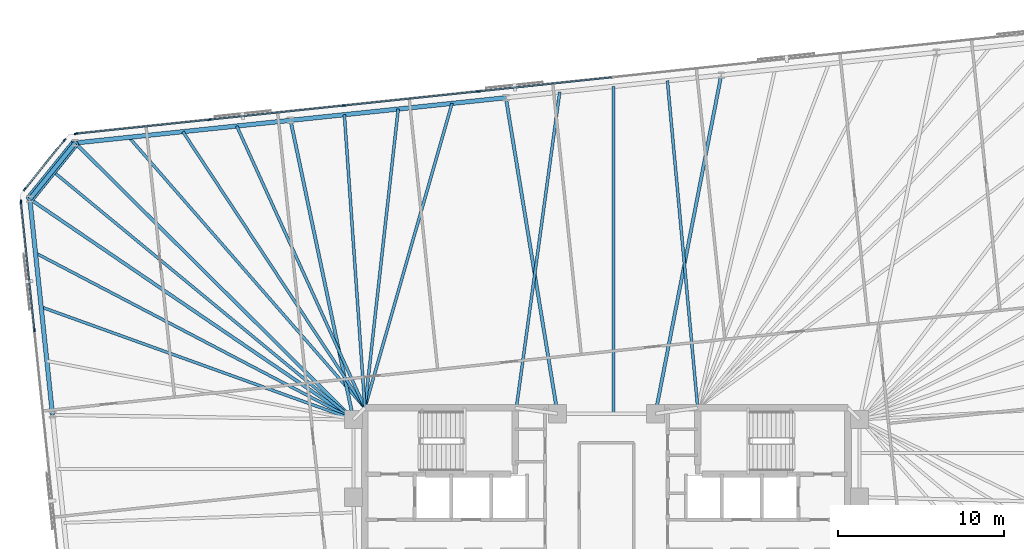
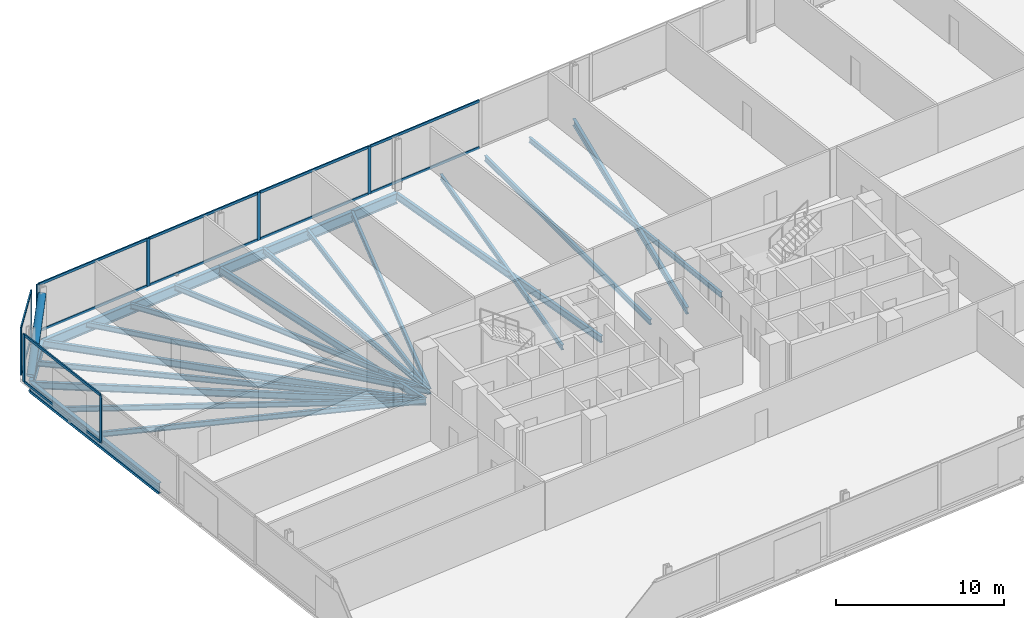
# One storey, part 9 of 18: 21 beams, 21 members, 3 elements without a shape of their own.
"""IFC4 building model written with IfcOpenShell, lengths in metres."""

from ifc_helpers import new_model, si_unit, direction, frame, origin, origin_2d, place, context, subcontext, project, spatial, rectangle, hollow_circle, i_section, extrude, material, material_profile, profile_set, type_object, element, aggregate, save


model = new_model("IFC4")

# Units and contexts
model_context = context("Model", 3, precision=1e-05, world=origin(), true_north=direction((0.0, 1.0)))
body_context = subcontext(model_context, "Body", "Model", "MODEL_VIEW")
ifc_project = project(units=[si_unit("LENGTHUNIT", "METRE"), si_unit("AREAUNIT", "SQUARE_METRE"), si_unit("VOLUMEUNIT", "CUBIC_METRE"), si_unit("PLANEANGLEUNIT", "RADIAN"), si_unit("MASSUNIT", "GRAM", prefix="KILO")], contexts=[model_context])

# Site, building, storey
site_placement = place(None, origin())
site = spatial("IfcSite", under=ifc_project, at=site_placement, CompositionType="ELEMENT")
building_placement = place(site_placement, origin())
building = spatial("IfcBuilding", under=site, at=building_placement, Name="Menara Jurai Vektor", CompositionType="ELEMENT")
storey_placement = place(building_placement, frame((0.0, 0.0, 128.10009765625)))
storey = spatial("IfcBuildingStorey", under=building, at=storey_placement, Name="L32", CompositionType="ELEMENT", Elevation=128.10009765625)

# Curtain wall, members
ifc_material_1 = material(Name="Anodised Pale Aluminium & Low-E Double Glazing", Category="aluminium")
curtain_wall_type = type_object("IfcCurtainWallType", Name="CW-BLK2", PredefinedType="NOTDEFINED", material=ifc_material_1)
curtain_wall_1_placement = place(storey_placement, origin())
curtain_wall_1 = element("IfcCurtainWall", 1, at=curtain_wall_1_placement, inside=storey, type_object=curtain_wall_type, Name="Unitised Curtain Wall L32 F05", PredefinedType="NOTDEFINED")
ifc_material_2 = material(Name="Anodised Pale Aluminium Mullion", Category="aluminium")
ifc_material_profile_1 = material_profile(ifc_material_2, rectangle(XDim=0.090087890625, YDim=0.219970703125, at=origin_2d()), Name="ALU MUL 90x220")
ifc_profile_set_1 = profile_set([ifc_material_profile_1], Name="Anodised Pale Aluminium Mullion")
member_type_1 = type_object("IfcMemberType", Name="CW-BLK2-MUL", PredefinedType="MULLION", material=ifc_profile_set_1)
member_1_placement = place(storey_placement, frame((-7.728271484375, 24.67138671875, 0.0), z_axis=(0.0, 0.0, 1.0), x_axis=(0.104528634935, -0.994521877325, 0.0)))
member_1 = element("IfcMember", 2, at=member_1_placement, type_object=member_type_1, Name="CW-02 mullion 6", PredefinedType="MULLION", context=body_context, shape_type="SweptSolid", body=[
    extrude(rectangle(XDim=0.090087890625, YDim=0.219970703125, at=origin_2d()), origin(), (0.0, 0.0, 1.0), 3.474853515625),
])
member_2_placement = place(storey_placement, frame((-15.826171875, 23.8203125, 0.0), z_axis=(0.0, 0.0, 1.0), x_axis=(0.104528634935, -0.994521877325, 0.0)))
member_2 = element("IfcMember", 3, at=member_2_placement, type_object=member_type_1, Name="CW-02 mullion 7", PredefinedType="MULLION", context=body_context, shape_type="SweptSolid", body=[
    extrude(rectangle(XDim=0.090087890625, YDim=0.219970703125, at=origin_2d()), origin(), (0.0, 0.0, 1.0), 3.474853515625),
])
member_3_placement = place(storey_placement, frame((-23.924072265625, 22.96923828125, 0.0), z_axis=(0.0, 0.0, 1.0), x_axis=(0.104528634935, -0.994521877325, 0.0)))
member_3 = element("IfcMember", 4, at=member_3_placement, type_object=member_type_1, Name="CW-02 mullion 8", PredefinedType="MULLION", context=body_context, shape_type="SweptSolid", body=[
    extrude(rectangle(XDim=0.090087890625, YDim=0.219970703125, at=origin_2d()), origin(), (0.0, 0.0, 1.0), 3.474853515625),
])
member_4_placement = place(storey_placement, frame((-31.97705078125, 22.122802734375, 0.0), z_axis=(0.0, 0.0, 1.0), x_axis=(0.104528634935, -0.994521877325, 0.0)))
member_4 = element("IfcMember", 5, at=member_4_placement, type_object=member_type_1, Name="CW-02 mullion 9", PredefinedType="MULLION", context=body_context, shape_type="SweptSolid", body=[
    extrude(rectangle(XDim=0.090087890625, YDim=0.219970703125, at=origin_2d()), origin(), (0.0, 0.0, 1.0), 3.474853515625),
])

curtain_wall_2_placement = place(storey_placement, origin())
curtain_wall_2 = element("IfcCurtainWall", 6, at=curtain_wall_2_placement, inside=storey, type_object=curtain_wall_type, Name="Unitised Curtain Wall L32 F06", PredefinedType="NOTDEFINED")
member_5_placement = place(storey_placement, frame((-32.667236328125, 21.748046875, 0.0), z_axis=(0.0, 0.0, 1.0), x_axis=(0.777129222223, -0.62934106172, 0.0)))
member_5 = element("IfcMember", 7, at=member_5_placement, type_object=member_type_1, Name="CW-02 mullion 1", PredefinedType="MULLION", context=body_context, shape_type="SweptSolid", body=[
    extrude(rectangle(XDim=0.090087890625, YDim=0.219970703125, at=origin_2d()), origin(), (0.0, 0.0, 1.0), 3.474853515625),
])
member_6_placement = place(storey_placement, frame((-35.0693359375, 18.781982421875, 0.0), z_axis=(0.0, 0.0, 1.0), x_axis=(0.777129222223, -0.62934106172, 0.0)))
member_6 = element("IfcMember", 8, at=member_6_placement, type_object=member_type_1, Name="CW-02 mullion 2", PredefinedType="MULLION", context=body_context, shape_type="SweptSolid", body=[
    extrude(rectangle(XDim=0.090087890625, YDim=0.219970703125, at=origin_2d()), origin(), (0.0, 0.0, 1.0), 3.474853515625),
])

curtain_wall_3_placement = place(storey_placement, origin())
curtain_wall_3 = element("IfcCurtainWall", 9, at=curtain_wall_3_placement, inside=storey, type_object=curtain_wall_type, Name="Unitised Curtain Wall L32 F07", PredefinedType="NOTDEFINED")
member_7_placement = place(storey_placement, frame((-35.29248046875, 18.029052734375, 0.0), z_axis=(0.0, 0.0, 1.0), x_axis=(0.99452177832, 0.104529576902, 0.0)))
member_7 = element("IfcMember", 10, at=member_7_placement, type_object=member_type_1, Name="CW-02 mullion 1", PredefinedType="MULLION", context=body_context, shape_type="SweptSolid", body=[
    extrude(rectangle(XDim=0.090087890625, YDim=0.219970703125, at=origin_2d()), origin(), (0.0, 0.0, 1.0), 3.474853515625),
])
member_8_placement = place(storey_placement, frame((-34.478759765625, 10.28857421875, 0.0), z_axis=(0.0, 0.0, 1.0), x_axis=(0.99452177832, 0.104529576902, 0.0)))
member_8 = element("IfcMember", 11, at=member_8_placement, type_object=member_type_1, Name="CW-02 mullion 2", PredefinedType="MULLION", context=body_context, shape_type="SweptSolid", body=[
    extrude(rectangle(XDim=0.090087890625, YDim=0.219970703125, at=origin_2d()), origin(), (0.0, 0.0, 1.0), 3.474853515625),
])

# Member
ifc_material_3 = material(Name="Anodised Pale Aluminium Transom", Category="aluminium")
ifc_material_profile_2 = material_profile(ifc_material_3, rectangle(XDim=0.090087890625, YDim=0.18505859375, at=origin_2d()), Name="ALU TRN 90x185")
ifc_profile_set_2 = profile_set([ifc_material_profile_2], Name="Anodised Pale Aluminium Transom")
member_type_2 = type_object("IfcMemberType", Name="CW-BLK2-TRN", PredefinedType="USERDEFINED", material=ifc_profile_set_2)
member_9_placement = place(storey_placement, frame((0.324951171875, 25.517822265625, 0.044921875), z_axis=(-0.99452387809, -0.104509597213, 0.0), x_axis=(0.104509597213, -0.99452387809, 0.0)))
member_9 = element("IfcMember", 12, at=member_9_placement, type_object=member_type_2, Name="CW-02 transom 5.1", ObjectType="TRANSOM", PredefinedType="USERDEFINED", context=body_context, shape_type="SweptSolid", body=[
    extrude(rectangle(XDim=0.090087890625, YDim=0.18505859375, at=origin_2d()), origin(), (0.0, 0.0, 1.0), 8.052490234375),
])

member_10_placement = place(storey_placement, frame((0.324951171875, 25.517822265625, 3.429931640625), z_axis=(-0.99452387809, -0.104509597213, 0.0), x_axis=(0.104509597213, -0.99452387809, 0.0)))
member_10 = element("IfcMember", 13, at=member_10_placement, type_object=member_type_2, Name="CW-02 transom 5.2", ObjectType="TRANSOM", PredefinedType="USERDEFINED", context=body_context, shape_type="SweptSolid", body=[
    extrude(rectangle(XDim=0.090087890625, YDim=0.18505859375, at=origin_2d()), origin(), (0.0, 0.0, 1.0), 8.052490234375),
])

member_11_placement = place(storey_placement, frame((-7.77294921875, 24.666748046875, 0.044921875), z_axis=(-0.994520726373, -0.10453958492, 0.0), x_axis=(0.10453958492, -0.994520726373, 0.0)))
member_11 = element("IfcMember", 14, at=member_11_placement, type_object=member_type_2, Name="CW-02 transom 6.1", ObjectType="TRANSOM", PredefinedType="USERDEFINED", context=body_context, shape_type="SweptSolid", body=[
    extrude(rectangle(XDim=0.090087890625, YDim=0.18505859375, at=origin_2d()), origin(), (0.0, 0.0, 1.0), 8.052490234375),
])

member_12_placement = place(storey_placement, frame((-7.77294921875, 24.666748046875, 3.429931640625), z_axis=(-0.994520726373, -0.10453958492, 0.0), x_axis=(0.10453958492, -0.994520726373, 0.0)))
member_12 = element("IfcMember", 15, at=member_12_placement, type_object=member_type_2, Name="CW-02 transom 6.2", ObjectType="TRANSOM", PredefinedType="USERDEFINED", context=body_context, shape_type="SweptSolid", body=[
    extrude(rectangle(XDim=0.090087890625, YDim=0.18505859375, at=origin_2d()), origin(), (0.0, 0.0, 1.0), 8.052490234375),
])

member_13_placement = place(storey_placement, frame((-15.870849609375, 23.815673828125, 0.044921875), z_axis=(-0.994520726373, -0.10453958492, 0.0), x_axis=(0.10453958492, -0.994520726373, 0.0)))
member_13 = element("IfcMember", 16, at=member_13_placement, type_object=member_type_2, Name="CW-02 transom 7.1", ObjectType="TRANSOM", PredefinedType="USERDEFINED", context=body_context, shape_type="SweptSolid", body=[
    extrude(rectangle(XDim=0.090087890625, YDim=0.18505859375, at=origin_2d()), origin(), (0.0, 0.0, 1.0), 8.052490234375),
])

member_14_placement = place(storey_placement, frame((-15.870849609375, 23.815673828125, 3.429931640625), z_axis=(-0.994520726373, -0.10453958492, 0.0), x_axis=(0.10453958492, -0.994520726373, 0.0)))
member_14 = element("IfcMember", 17, at=member_14_placement, type_object=member_type_2, Name="CW-02 transom 7.2", ObjectType="TRANSOM", PredefinedType="USERDEFINED", context=body_context, shape_type="SweptSolid", body=[
    extrude(rectangle(XDim=0.090087890625, YDim=0.18505859375, at=origin_2d()), origin(), (0.0, 0.0, 1.0), 8.052490234375),
])

member_15_placement = place(storey_placement, frame((-23.96875, 22.964599609375, 0.044921875), z_axis=(-0.994519977808, -0.104546706027, 0.0), x_axis=(0.104546706027, -0.994519977808, 0.0)))
member_15 = element("IfcMember", 18, at=member_15_placement, type_object=member_type_2, Name="CW-02 transom 8.1", ObjectType="TRANSOM", PredefinedType="USERDEFINED", context=body_context, shape_type="SweptSolid", body=[
    extrude(rectangle(XDim=0.090087890625, YDim=0.18505859375, at=origin_2d()), origin(), (0.0, 0.0, 1.0), 8.007568359375),
])

member_16_placement = place(storey_placement, frame((-23.96875, 22.964599609375, 3.429931640625), z_axis=(-0.994519977808, -0.104546706027, 0.0), x_axis=(0.104546706027, -0.994519977808, 0.0)))
member_16 = element("IfcMember", 19, at=member_16_placement, type_object=member_type_2, Name="CW-02 transom 8.2", ObjectType="TRANSOM", PredefinedType="USERDEFINED", context=body_context, shape_type="SweptSolid", body=[
    extrude(rectangle(XDim=0.090087890625, YDim=0.18505859375, at=origin_2d()), origin(), (0.0, 0.0, 1.0), 8.007568359375),
])

aggregate(curtain_wall_1, [member_1, member_2, member_3, member_4, member_9, member_10, member_11, member_12, member_13, member_14, member_15, member_16])

member_17_placement = place(storey_placement, frame((-32.695556640625, 21.713134765625, 0.044921875), z_axis=(-0.6293414396, -0.777128916205, 0.0), x_axis=(0.777128916205, -0.6293414396, 0.0)))
member_17 = element("IfcMember", 20, at=member_17_placement, type_object=member_type_2, Name="CW-02 transom 1.1", ObjectType="TRANSOM", PredefinedType="USERDEFINED", context=body_context, shape_type="SweptSolid", body=[
    extrude(rectangle(XDim=0.090087890625, YDim=0.18505859375, at=origin_2d()), origin(), (0.0, 0.0, 1.0), 3.726806640625),
])

member_18_placement = place(storey_placement, frame((-32.695556640625, 21.713134765625, 3.429931640625), z_axis=(-0.6293414396, -0.777128916205, 0.0), x_axis=(0.777128916205, -0.6293414396, 0.0)))
member_18 = element("IfcMember", 21, at=member_18_placement, type_object=member_type_2, Name="CW-02 transom 1.2", ObjectType="TRANSOM", PredefinedType="USERDEFINED", context=body_context, shape_type="SweptSolid", body=[
    extrude(rectangle(XDim=0.090087890625, YDim=0.18505859375, at=origin_2d()), origin(), (0.0, 0.0, 1.0), 3.726806640625),
])

aggregate(curtain_wall_2, [member_5, member_6, member_17, member_18])

member_19_placement = place(storey_placement, frame((-35.28759765625, 17.984130859375, 0.044921875), z_axis=(0.104504716935, -0.994524390922, 0.0), x_axis=(0.994524390922, 0.104504716935, 0.0)))
member_19 = element("IfcMember", 22, at=member_19_placement, type_object=member_type_2, Name="CW-02 transom 1.1", ObjectType="TRANSOM", PredefinedType="USERDEFINED", context=body_context, shape_type="SweptSolid", body=[
    extrude(rectangle(XDim=0.090087890625, YDim=0.18505859375, at=origin_2d()), origin(), (0.0, 0.0, 1.0), 7.693115234375),
])

member_20_placement = place(storey_placement, frame((-35.28759765625, 17.984130859375, 3.429931640625), z_axis=(0.104504716935, -0.994524390922, 0.0), x_axis=(0.994524390922, 0.104504716935, 0.0)))
member_20 = element("IfcMember", 23, at=member_20_placement, type_object=member_type_2, Name="CW-02 transom 1.2", ObjectType="TRANSOM", PredefinedType="USERDEFINED", context=body_context, shape_type="SweptSolid", body=[
    extrude(rectangle(XDim=0.090087890625, YDim=0.18505859375, at=origin_2d()), origin(), (0.0, 0.0, 1.0), 7.693115234375),
])

aggregate(curtain_wall_3, [member_7, member_8, member_19, member_20])

# Beams
ifc_material_4 = material(Name="Steel S355", Category="steel")
ifc_material_profile_3 = material_profile(ifc_material_4, i_section(OverallWidth=0.199951171875, OverallDepth=0.5, WebThickness=0.011962890625, FlangeThickness=0.02001953125, at=origin_2d()), Name="PG 500x200x96")
ifc_profile_set_3 = profile_set([ifc_material_profile_3], Name="Steel S355")
beam_type_1 = type_object("IfcBeamType", Name="STR-BM-500", PredefinedType="BEAM", material=ifc_profile_set_3)
beam_1_placement = place(storey_placement, frame((6.9169921875, 25.65771484375, -0.47509765625), z_axis=(-0.190817481746, -0.981625533826, 0.0), x_axis=(0.981625533826, -0.190817481746, 0.0)))
element("IfcBeam", 24, at=beam_1_placement, inside=storey, type_object=beam_type_1, Name="Radial Floor Girder L32-N3", PredefinedType="BEAM", context=body_context, shape_type="SweptSolid", body=[
    extrude(i_section(OverallWidth=0.199951171875, OverallDepth=0.5, WebThickness=0.011962890625, FlangeThickness=0.02001953125, at=origin_2d()), origin(), (0.0, 0.0, 1.0), 20.789794921875),
])
beam_2_placement = place(storey_placement, frame((-6.0625, 24.29345703125, -0.47509765625), z_axis=(0.161304178177, -0.986904738109, 0.0), x_axis=(0.986904738109, 0.161304178177, 0.0)))
element("IfcBeam", 25, at=beam_2_placement, inside=storey, type_object=beam_type_1, Name="Radial Floor Girder L32-N4", PredefinedType="BEAM", context=body_context, shape_type="SweptSolid", body=[
    extrude(i_section(OverallWidth=0.199951171875, OverallDepth=0.5, WebThickness=0.011962890625, FlangeThickness=0.02001953125, at=origin_2d()), origin(), (0.0, 0.0, 1.0), 19.296142578125),
])
beam_3_placement = place(storey_placement, frame((-19.042236328125, 22.92919921875, -0.47509765625), z_axis=(0.205833499861, -0.978587027471, 0.0), x_axis=(0.978587027471, 0.205833499861, 0.0)))
element("IfcBeam", 26, at=beam_3_placement, inside=storey, type_object=beam_type_1, Name="Radial Floor Girder L32-N5", PredefinedType="BEAM", context=body_context, shape_type="SweptSolid", body=[
    extrude(i_section(OverallWidth=0.199951171875, OverallDepth=0.5, WebThickness=0.011962890625, FlangeThickness=0.02001953125, at=origin_2d()), origin(), (0.0, 0.0, 1.0), 18.423828125),
])
beam_4_placement = place(storey_placement, frame((-32.02197265625, 21.565185546875, -0.47509765625), z_axis=(0.709359361276, -0.704847002242, 0.0), x_axis=(0.704847002242, 0.709359361276, 0.0)))
element("IfcBeam", 27, at=beam_4_placement, inside=storey, type_object=beam_type_1, Name="Radial Floor Girder L32-N6", PredefinedType="BEAM", context=body_context, shape_type="SweptSolid", body=[
    extrude(i_section(OverallWidth=0.199951171875, OverallDepth=0.5, WebThickness=0.011962890625, FlangeThickness=0.02001953125, at=origin_2d()), origin(), (0.0, 0.0, 1.0), 23.643798828125),
])
beam_5_placement = place(storey_placement, frame((-34.756103515625, 18.188720703125, -0.47509765625), z_axis=(0.826440214756, -0.563024485643, 0.0), x_axis=(0.563024485643, 0.826440214756, 0.0)))
element("IfcBeam", 28, at=beam_5_placement, inside=storey, type_object=beam_type_1, Name="Radial Floor Girder L32-W1", PredefinedType="BEAM", context=body_context, shape_type="SweptSolid", body=[
    extrude(i_section(OverallWidth=0.199951171875, OverallDepth=0.5, WebThickness=0.011962890625, FlangeThickness=0.02001953125, at=origin_2d()), origin(), (0.0, 0.0, 1.0), 23.6025390625),
])

# Member
ifc_material_5 = material(Name="Steel S460", Category="steel")
ifc_material_profile_4 = material_profile(ifc_material_5, hollow_circle(Radius=0.25390625, WallThickness=0.02001953125, at=origin_2d()), Name="CHS 508x20")
ifc_profile_set_4 = profile_set([ifc_material_profile_4], Name="Steel S460")
member_type_3 = type_object("IfcMemberType", Name="STR-BR-508", PredefinedType="BRACE", material=ifc_profile_set_4)
member_21_placement = place(storey_placement, frame((-34.756103515625, 18.188720703125, 0.14990234375), z_axis=(0.519237856236, 0.641223283484, 0.564999778203), x_axis=(-0.777154568396, 0.629309762217, 0.0)))
element("IfcMember", 29, at=member_21_placement, inside=storey, type_object=member_type_3, Name="Exoskeleton Corner Brace L32-3", PredefinedType="BRACE", context=body_context, shape_type="SweptSolid", body=[
    extrude(hollow_circle(Radius=0.25390625, WallThickness=0.02001953125, at=origin_2d()), origin(), (0.0, 0.0, 1.0), 5.265625),
])

# Beams
ifc_material_profile_5 = material_profile(ifc_material_4, i_section(OverallWidth=0.175048828125, OverallDepth=0.3798828125, WebThickness=0.010009765625, FlangeThickness=0.014892578125, at=origin_2d()), Name="PG 380x175x58")
ifc_profile_set_5 = profile_set([ifc_material_profile_5], Name="Steel S355")
beam_type_2 = type_object("IfcBeamType", Name="STR-JS-380", PredefinedType="JOIST", material=ifc_profile_set_5)
beam_6_placement = place(storey_placement, frame((3.672119140625, 25.316650390625, -0.4150390625), z_axis=(0.092312082085, -0.995730123829, 0.0), x_axis=(0.995730123829, 0.092312082085, 0.0)))
element("IfcBeam", 30, at=beam_6_placement, inside=storey, type_object=beam_type_2, Name="Radial Secondary Floor Joist L32-JS26", PredefinedType="JOIST", context=body_context, shape_type="SweptSolid", body=[
    extrude(i_section(OverallWidth=0.175048828125, OverallDepth=0.3798828125, WebThickness=0.010009765625, FlangeThickness=0.014892578125, at=origin_2d()), origin(), (0.0, 0.0, 1.0), 19.801025390625),
])
beam_7_placement = place(storey_placement, frame((0.42724609375, 24.9755859375, -0.4150390625), z_axis=(0.0, -1.0, 0.0), x_axis=(1.0, 0.0, 0.0)))
element("IfcBeam", 31, at=beam_7_placement, inside=storey, type_object=beam_type_2, Name="Radial Secondary Floor Joist L32-JS27", PredefinedType="JOIST", context=body_context, shape_type="SweptSolid", body=[
    extrude(i_section(OverallWidth=0.175048828125, OverallDepth=0.3798828125, WebThickness=0.010009765625, FlangeThickness=0.014892578125, at=origin_2d()), origin(), (0.0, 0.0, 1.0), 19.7255859375),
])
beam_8_placement = place(storey_placement, frame((-2.817626953125, 24.634521484375, -0.4150390625), z_axis=(-0.135987109192, -0.990710606652, 0.0), x_axis=(0.990710606652, -0.135987109192, 0.0)))
element("IfcBeam", 32, at=beam_8_placement, inside=storey, type_object=beam_type_2, Name="Radial Secondary Floor Joist L32-JS28", PredefinedType="JOIST", context=body_context, shape_type="SweptSolid", body=[
    extrude(i_section(OverallWidth=0.175048828125, OverallDepth=0.3798828125, WebThickness=0.010009765625, FlangeThickness=0.014892578125, at=origin_2d()), origin(), (0.0, 0.0, 1.0), 19.222412109375),
])
beam_9_placement = place(storey_placement, frame((-9.3076171875, 23.952392578125, -0.4150390625), z_axis=(-0.275153530359, -0.961400298903, 0.0), x_axis=(0.961400298903, -0.275153530359, 0.0)))
element("IfcBeam", 33, at=beam_9_placement, inside=storey, type_object=beam_type_2, Name="Radial Secondary Floor Joist L32-JS29", PredefinedType="JOIST", context=body_context, shape_type="SweptSolid", body=[
    extrude(i_section(OverallWidth=0.175048828125, OverallDepth=0.3798828125, WebThickness=0.010009765625, FlangeThickness=0.014892578125, at=origin_2d()), origin(), (0.0, 0.0, 1.0), 19.089111328125),
])
beam_10_placement = place(storey_placement, frame((-12.552490234375, 23.611328125, -0.4150390625), z_axis=(-0.110776028048, -0.993845396231, 0.0), x_axis=(0.993845396231, -0.110776028048, 0.0)))
element("IfcBeam", 34, at=beam_10_placement, inside=storey, type_object=beam_type_2, Name="Radial Secondary Floor Joist L32-JS30", PredefinedType="JOIST", context=body_context, shape_type="SweptSolid", body=[
    extrude(i_section(OverallWidth=0.175048828125, OverallDepth=0.3798828125, WebThickness=0.010009765625, FlangeThickness=0.014892578125, at=origin_2d()), origin(), (0.0, 0.0, 1.0), 18.122802734375),
])
beam_11_placement = place(storey_placement, frame((-15.79736328125, 23.2705078125, -0.4150390625), z_axis=(0.069850249402, -0.997557488398, 0.0), x_axis=(0.997557488398, 0.069850249402, 0.0)))
element("IfcBeam", 35, at=beam_11_placement, inside=storey, type_object=beam_type_2, Name="Radial Secondary Floor Joist L32-JS31", PredefinedType="JOIST", context=body_context, shape_type="SweptSolid", body=[
    extrude(i_section(OverallWidth=0.175048828125, OverallDepth=0.3798828125, WebThickness=0.010009765625, FlangeThickness=0.014892578125, at=origin_2d()), origin(), (0.0, 0.0, 1.0), 17.713623046875),
])
beam_12_placement = place(storey_placement, frame((-22.287109375, 22.58837890625, -0.4150390625), z_axis=(0.414029617818, -0.910263409992, 0.0), x_axis=(0.910263409992, 0.414029617818, 0.0)))
element("IfcBeam", 36, at=beam_12_placement, inside=storey, type_object=beam_type_2, Name="Radial Secondary Floor Joist L32-JS32", PredefinedType="JOIST", context=body_context, shape_type="SweptSolid", body=[
    extrude(i_section(OverallWidth=0.175048828125, OverallDepth=0.3798828125, WebThickness=0.010009765625, FlangeThickness=0.014892578125, at=origin_2d()), origin(), (0.0, 0.0, 1.0), 18.6630859375),
])
beam_13_placement = place(storey_placement, frame((-25.531982421875, 22.247314453125, -0.4150390625), z_axis=(0.550309675793, -0.834960634239, 0.0), x_axis=(0.834960634239, 0.550309675793, 0.0)))
element("IfcBeam", 37, at=beam_13_placement, inside=storey, type_object=beam_type_2, Name="Radial Secondary Floor Joist L32-JS33", PredefinedType="JOIST", context=body_context, shape_type="SweptSolid", body=[
    extrude(i_section(OverallWidth=0.175048828125, OverallDepth=0.3798828125, WebThickness=0.010009765625, FlangeThickness=0.014892578125, at=origin_2d()), origin(), (0.0, 0.0, 1.0), 19.937744140625),
])
beam_14_placement = place(storey_placement, frame((-28.777099609375, 21.90625, -0.4150390625), z_axis=(0.657172520545, -0.753740192798, 0.0), x_axis=(0.753740192798, 0.657172520545, 0.0)))
element("IfcBeam", 38, at=beam_14_placement, inside=storey, type_object=beam_type_2, Name="Radial Secondary Floor Joist L32-JS34", PredefinedType="JOIST", context=body_context, shape_type="SweptSolid", body=[
    extrude(i_section(OverallWidth=0.175048828125, OverallDepth=0.3798828125, WebThickness=0.010009765625, FlangeThickness=0.014892578125, at=origin_2d()), origin(), (0.0, 0.0, 1.0), 21.633544921875),
])
beam_15_placement = place(storey_placement, frame((-33.388916015625, 19.876953125, -0.4150390625), z_axis=(0.771113505069, -0.636697700876, 0.0), x_axis=(0.636697700876, 0.771113505069, 0.0)))
element("IfcBeam", 39, at=beam_15_placement, inside=storey, type_object=beam_type_2, Name="Radial Secondary Floor Joist L32-JS35", PredefinedType="JOIST", context=body_context, shape_type="SweptSolid", body=[
    extrude(i_section(OverallWidth=0.175048828125, OverallDepth=0.3798828125, WebThickness=0.010009765625, FlangeThickness=0.014892578125, at=origin_2d()), origin(), (0.0, 0.0, 1.0), 23.52294921875),
])
beam_16_placement = place(storey_placement, frame((-34.414306640625, 14.935302734375, -0.4150390625), z_axis=(0.885889402471, -0.463896504179, 0.0), x_axis=(0.463896504179, 0.885889402471, 0.0)))
element("IfcBeam", 40, at=beam_16_placement, inside=storey, type_object=beam_type_2, Name="Radial Secondary Floor Joist L32-JS36", PredefinedType="JOIST", context=body_context, shape_type="SweptSolid", body=[
    extrude(i_section(OverallWidth=0.175048828125, OverallDepth=0.3798828125, WebThickness=0.010009765625, FlangeThickness=0.014892578125, at=origin_2d()), origin(), (0.0, 0.0, 1.0), 21.6328125),
])
beam_17_placement = place(storey_placement, frame((-34.072265625, 11.681884765625, -0.4150390625), z_axis=(0.940792327273, -0.338983475917, 0.0), x_axis=(0.338983475917, 0.940792327273, 0.0)))
element("IfcBeam", 41, at=beam_17_placement, inside=storey, type_object=beam_type_2, Name="Radial Secondary Floor Joist L32-JS37", PredefinedType="JOIST", context=body_context, shape_type="SweptSolid", body=[
    extrude(i_section(OverallWidth=0.175048828125, OverallDepth=0.3798828125, WebThickness=0.010009765625, FlangeThickness=0.014892578125, at=origin_2d()), origin(), (0.0, 0.0, 1.0), 20.0068359375),
])
ifc_material_profile_6 = material_profile(ifc_material_5, i_section(OverallWidth=0.26806640625, OverallDepth=0.77001953125, WebThickness=0.01611328125, FlangeThickness=0.02490234375, FilletRadius=0.01708984375, at=origin_2d()), Name="UKB 762x267x197")
ifc_profile_set_6 = profile_set([ifc_material_profile_6], Name="Steel S460")
beam_type_3 = type_object("IfcBeamType", Name="STR-SP-762", PredefinedType="SPANDREL", material=ifc_profile_set_6)
for number, where, z_axis, x_axis, name in (
    (42, (-6.0625, 24.29345703125, -0.610107421875), (-0.994521636083, -0.104530930169, 0.0), (0.104530930169, -0.994521636083, 0.0), "Exoskeleton Spandrel Beam L32-14"),
    (43, (-19.042236328125, 22.92919921875, -0.610107421875), (-0.994523580592, -0.104512428191, 0.0), (0.104512428191, -0.994523580592, 0.0), "Exoskeleton Spandrel Beam L32-15"),
):
    element("IfcBeam", number, at=place(storey_placement, frame(where, z_axis=z_axis, x_axis=x_axis)), inside=storey, type_object=beam_type_3, Name=name, PredefinedType="SPANDREL", context=body_context, shape_type="SweptSolid", body=[
        extrude(i_section(OverallWidth=0.26806640625, OverallDepth=0.77001953125, WebThickness=0.01611328125, FlangeThickness=0.02490234375, FilletRadius=0.01708984375, at=origin_2d()), origin(), (0.0, 0.0, 1.0), 13.05126953125),
    ])
beam_18_placement = place(storey_placement, frame((-32.02197265625, 21.565185546875, -0.610107421875), z_axis=(-0.629309762217, -0.777154568396, 0.0), x_axis=(0.777154568396, -0.629309762217, 0.0)))
element("IfcBeam", 44, at=beam_18_placement, inside=storey, type_object=beam_type_3, Name="Exoskeleton Spandrel Beam L32-16", PredefinedType="SPANDREL", context=body_context, shape_type="SweptSolid", body=[
    extrude(i_section(OverallWidth=0.26806640625, OverallDepth=0.77001953125, WebThickness=0.01611328125, FlangeThickness=0.02490234375, FilletRadius=0.01708984375, at=origin_2d()), origin(), (0.0, 0.0, 1.0), 4.3447265625),
])
beam_19_placement = place(storey_placement, frame((-34.756103515625, 18.188720703125, -0.610107421875), z_axis=(0.104538130097, -0.994520879296, 0.0), x_axis=(0.994520879296, 0.104538130097, 0.0)))
element("IfcBeam", 45, at=beam_19_placement, inside=storey, type_object=beam_type_3, Name="Exoskeleton Spandrel Beam L32-17", PredefinedType="SPANDREL", context=body_context, shape_type="SweptSolid", body=[
    extrude(i_section(OverallWidth=0.26806640625, OverallDepth=0.77001953125, WebThickness=0.01611328125, FlangeThickness=0.02490234375, FilletRadius=0.01708984375, at=origin_2d()), origin(), (0.0, 0.0, 1.0), 13.08544921875),
])

save(model, "model.ifc")
